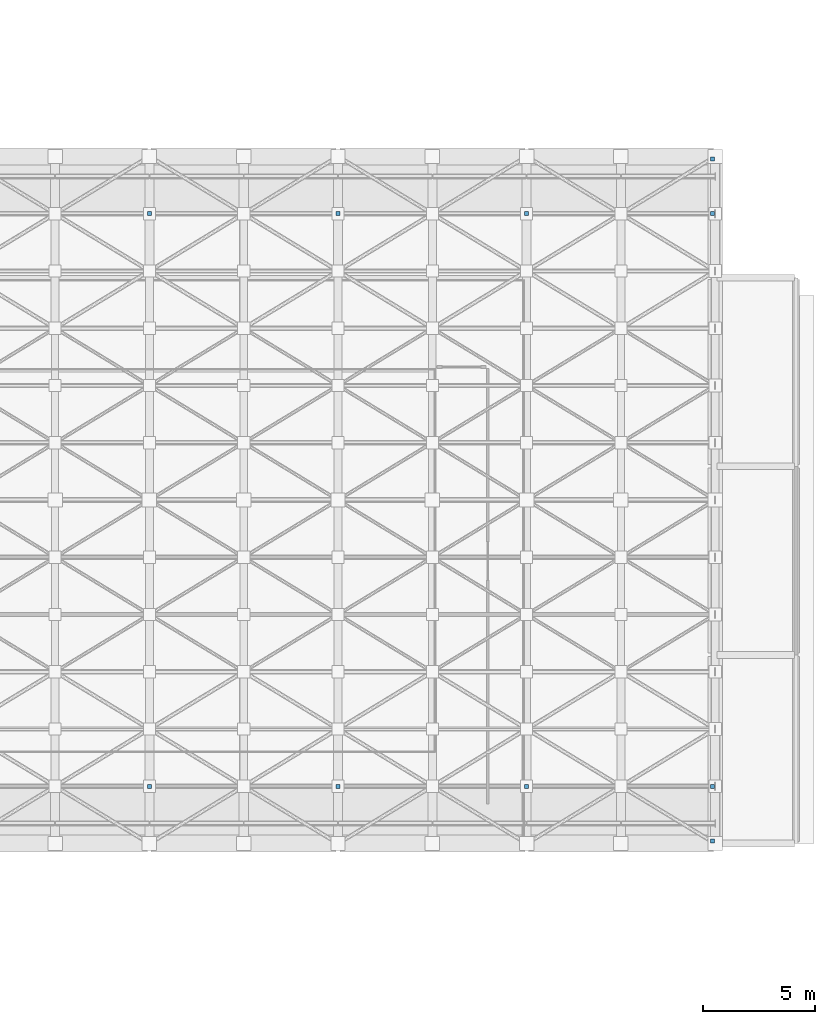
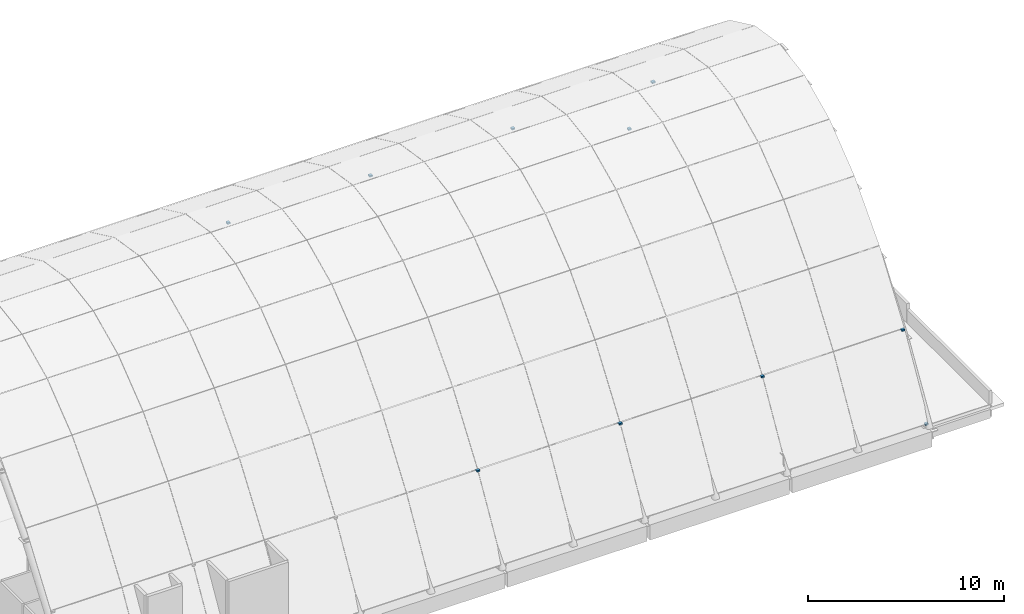
# One storey, part 84 of 128: 10 discrete accessories.
"""IFC4 building model written with IfcOpenShell, lengths in metres."""

from ifc_helpers import new_model, si_unit, direction, frame, origin, origin_2d, place, context, subcontext, project, spatial, rectangle, extrude, material, type_object, element, save


model = new_model("IFC4")

# Units and contexts
model_context = context("Model", 3, precision=1e-05, world=origin(), true_north=direction((0.0, 1.0)))
body_context = subcontext(model_context, "Body", "Model", "MODEL_VIEW")
ifc_project = project(units=[si_unit("LENGTHUNIT", "METRE"), si_unit("AREAUNIT", "SQUARE_METRE"), si_unit("VOLUMEUNIT", "CUBIC_METRE"), si_unit("PLANEANGLEUNIT", "RADIAN"), si_unit("MASSUNIT", "GRAM", prefix="KILO")], contexts=[model_context])

# Site, building, storey
site_placement = place(None, origin())
site = spatial("IfcSite", under=ifc_project, at=site_placement, CompositionType="ELEMENT")
building_placement = place(site_placement, origin())
building = spatial("IfcBuilding", under=site, at=building_placement, Name="Telukmera Botanical Conservatory", CompositionType="ELEMENT")
storey_placement = place(building_placement, frame((0.0, 0.0, 5.39990234375)))
storey = spatial("IfcBuildingStorey", under=building, at=storey_placement, Name="L01", CompositionType="ELEMENT", Elevation=5.39990234375)

# Discrete accessories
ifc_material = material(Name="Steel S355", Category="steel")
discrete_accessory_type = type_object("IfcDiscreteAccessoryType", Name="Structural Steel Gridshell Glazing Shoe Bracket", PredefinedType="BRACKET", material=ifc_material)
for number, where, z_axis, x_axis, name in (
    (1, (142.800048828125, 20.14990234375, 4.56494140625), (0.0, 0.0, 1.0), (1.0, 0.0, 0.0), "Conservatory Node Glazing Spider Bracket 06-01"),
    (2, (142.800048828125, 45.64990234375, 4.56494140625), (0.0, 0.0, 1.0), (1.0, 0.0, 0.0), "Conservatory Node Glazing Spider Bracket 06-11"),
    (3, (151.199951171875, 20.14990234375, 4.56494140625), (0.0, 0.0, 1.0), (1.0, 0.0, 0.0), "Conservatory Node Glazing Spider Bracket 08-01"),
    (4, (151.199951171875, 45.64990234375, 4.56494140625), (0.0, 0.0, 1.0), (1.0, 0.0, 0.0), "Conservatory Node Glazing Spider Bracket 08-11"),
    (5, (159.60009765625, 20.14990234375, 4.56494140625), (0.0, 0.0, 1.0), (1.0, 0.0, 0.0), "Conservatory Node Glazing Spider Bracket 10-01"),
    (6, (159.60009765625, 45.64990234375, 4.56494140625), (0.0, 0.0, 1.0), (1.0, 0.0, 0.0), "Conservatory Node Glazing Spider Bracket 10-11"),
    (7, (167.8798828125, 17.719970703125, 0.1650390625), (0.0, 0.0, 1.0), (1.0, 0.0, 0.0), "Conservatory Node Glazing Spider Bracket 12-00"),
    (8, (167.8798828125, 20.14990234375, 4.56494140625), (0.0, 0.0, 1.0), (1.0, 0.0, 0.0), "Conservatory Node Glazing Spider Bracket 12-01"),
    (9, (167.8798828125, 45.64990234375, 4.56494140625), (0.0, 0.0, 1.0), (1.0, 0.0, 0.0), "Conservatory Node Glazing Spider Bracket 12-11"),
    (10, (167.8798828125, 48.080078125, 0.1650390625), (0.0, 0.0, 1.0), (1.0, 0.0, 0.0), "Conservatory Node Glazing Spider Bracket 12-12"),
):
    element("IfcDiscreteAccessory", number, at=place(storey_placement, frame(where, z_axis=z_axis, x_axis=x_axis)), inside=storey, type_object=discrete_accessory_type, Name=name, PredefinedType="BRACKET", context=body_context, shape_type="SweptSolid", body=[
        extrude(rectangle(XDim=0.179931640625, YDim=0.179931640625, at=origin_2d()), origin(), (0.0, 0.0, 1.0), 0.094970703125),
    ])

save(model, "model.ifc")
